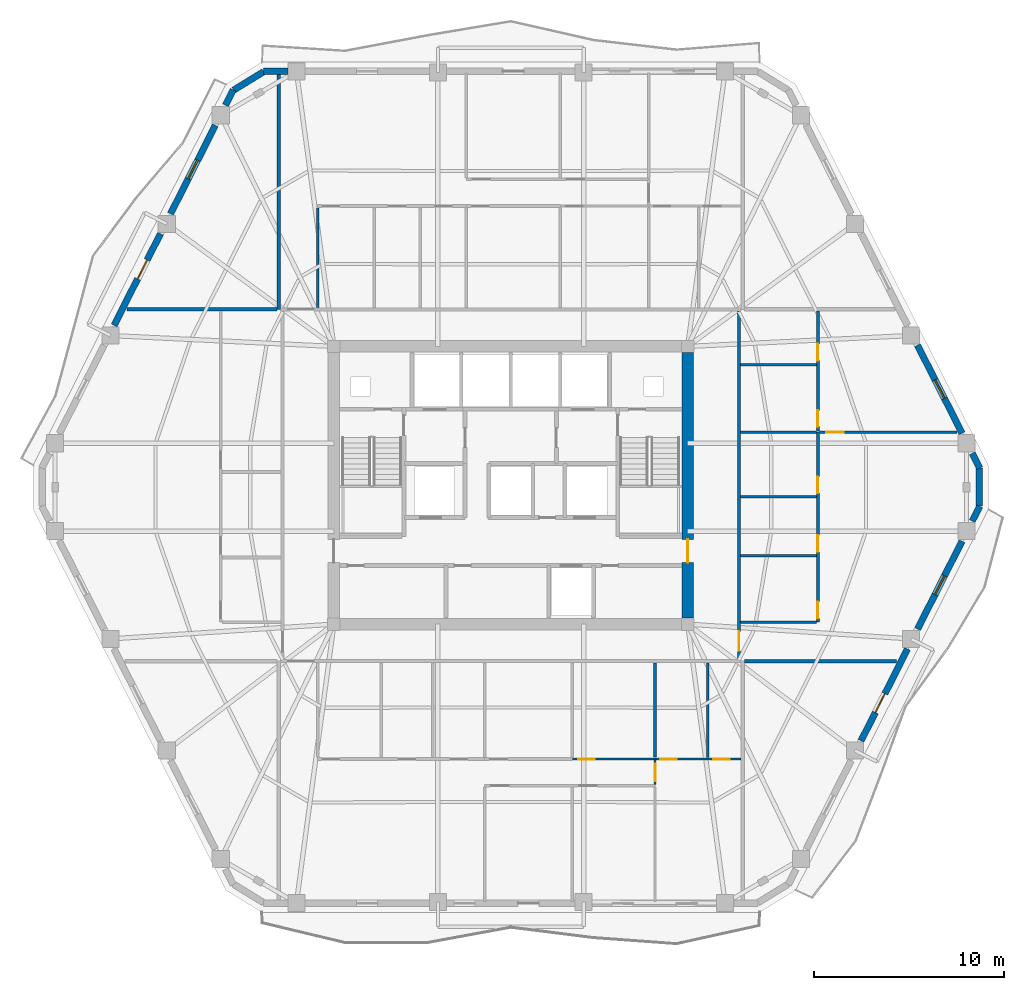
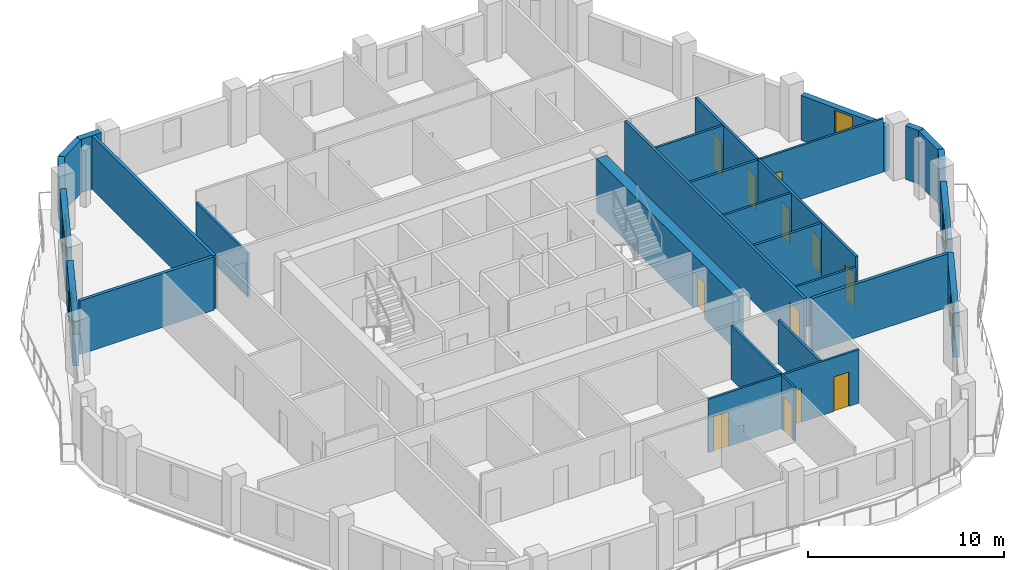
# One storey, part 6 of 10: 29 walls, 14 doors, 3 windows, 17 openings.
"""IFC4 building model written with IfcOpenShell, lengths in metres."""

from ifc_helpers import new_model, si_unit, direction, frame, frame_2d, origin, place, context, subcontext, project, spatial, rectangle, extrude, material, layer, layer_set, type_object, element, fill, save


model = new_model("IFC4")

# Units and contexts
model_context = context("Model", 3, precision=1e-05, world=origin(), true_north=direction((0.0, 1.0)))
body_context = subcontext(model_context, "Body", "Model", "MODEL_VIEW")
ifc_project = project(units=[si_unit("LENGTHUNIT", "METRE"), si_unit("AREAUNIT", "SQUARE_METRE"), si_unit("VOLUMEUNIT", "CUBIC_METRE"), si_unit("PLANEANGLEUNIT", "RADIAN"), si_unit("MASSUNIT", "GRAM", prefix="KILO")], contexts=[model_context])

# Site, building, storey
site_placement = place(None, origin())
site = spatial("IfcSite", under=ifc_project, at=site_placement, CompositionType="ELEMENT")
building_placement = place(site_placement, origin())
building = spatial("IfcBuilding", under=site, at=building_placement, Name="Cinnabar Lancet Tower", CompositionType="ELEMENT")
storey_placement = place(building_placement, frame((0.0, 0.0, 160.60009765625)))
storey = spatial("IfcBuildingStorey", under=building, at=storey_placement, Name="L42", CompositionType="ELEMENT", Elevation=160.60009765625)

# Wall, opening, door
ifc_material_1 = material(Name="Acoustic twin-stud gypsum partition", Category="gypsum")
ifc_layer_1 = layer(ifc_material_1, 0.159912109375)
ifc_layer_set_1 = layer_set([ifc_layer_1], Name="Acoustic twin-stud gypsum partition")
wall_type_1 = type_object("IfcWallType", Name="ARC-WL-CORR-160", PredefinedType="PARTITIONING", material=ifc_layer_set_1)
wall_1_placement = place(storey_placement, frame((44.39990234375, 16.7451171875, 0.0), z_axis=(0.0, 0.0, 1.0), x_axis=(0.0, 1.0, 0.0)))
wall_1 = element("IfcWall", 1, at=wall_1_placement, inside=storey, type_object=wall_type_1, Name="UW-L42-E01-COR", PredefinedType="PARTITIONING", context=body_context, shape_type="SweptSolid", body=[
    extrude(rectangle(XDim=18.309814453125, YDim=0.159912109375, at=frame_2d((9.15478515625, 0.0))), origin(), (0.0, 0.0, 1.0), 3.33984375),
])
opening_1_placement = place(wall_1_placement, frame((0.449951171875, 0.0, 0.0)))
opening_1 = element("IfcOpeningElement", 2, at=opening_1_placement, cuts=wall_1, Name="Opening UD-01", PredefinedType="OPENING", context=body_context, shape_type="SweptSolid", body=[
    extrude(rectangle(XDim=1.02001953125, YDim=2.25, at=frame_2d((0.510009765625, 1.125))), frame((0.0, 0.08984375, 0.0), z_axis=(0.0, -1.0, 0.0), x_axis=(1.0, 0.0, 0.0)), (0.0, 0.0, 1.0), 0.179931640625),
])
ifc_material_2 = material(Name="Solid timber fire-rated apartment entrance door", Category="wood")
door_type_1 = type_object("IfcDoorType", Name="ARC-DR-UNIT", OperationType="NOTDEFINED", PredefinedType="DOOR", material=ifc_material_2)
door_1_placement = place(opening_1_placement, origin())
door_1 = element("IfcDoor", 3, at=door_1_placement, inside=storey, type_object=door_type_1, Name="DR-L42-E01-ENT", OperationType="SINGLE_SWING_LEFT", OverallHeight=2.25, OverallWidth=1.02001953125, PredefinedType="DOOR", context=body_context, shape_type="SweptSolid", body=[
    extrude(rectangle(XDim=1.02001953125, YDim=2.25, at=frame_2d((0.510009765625, 1.125))), frame((0.0, 0.02490234375, 0.0), z_axis=(0.0, -1.0, 0.0), x_axis=(1.0, 0.0, 0.0)), (0.0, 0.0, 1.0), 0.050048828125),
])
fill(opening_1, door_1)

# Walls
ifc_material_3 = material(Name="Fire-rated twin-frame acoustic drywall", Category="gypsum")
ifc_layer_2 = layer(ifc_material_3, 0.179931640625)
ifc_layer_set_2 = layer_set([ifc_layer_2], Name="Fire-rated twin-frame acoustic drywall")
wall_type_2 = type_object("IfcWallType", Name="ARC-WL-PARTY-180", PredefinedType="PARTITIONING", material=ifc_layer_set_2)
wall_2_placement = place(storey_placement, frame((20.199951171875, 35.14990234375, 0.0), z_axis=(0.0, 0.0, 1.0), x_axis=(0.0, 1.0, 0.0)))
element("IfcWall", 4, at=wall_2_placement, inside=storey, type_object=wall_type_2, Name="PW-L42-NPTY-202", PredefinedType="PARTITIONING", context=body_context, shape_type="SweptSolid", body=[
    extrude(rectangle(XDim=12.34521484375, YDim=0.179931640625, at=frame_2d((6.172607421875, 0.0))), origin(), (0.0, 0.0, 1.0), 3.33984375),
])
wall_3_placement = place(storey_placement, frame((44.695068359375, 16.64990234375, 0.0), z_axis=(0.0, 0.0, 1.0), x_axis=(1.0, 0.0, 0.0)))
element("IfcWall", 5, at=wall_3_placement, inside=storey, type_object=wall_type_2, Name="PW-L42-ESB", PredefinedType="PARTITIONING", context=body_context, shape_type="SweptSolid", body=[
    extrude(rectangle(XDim=7.995849609375, YDim=0.179931640625, at=frame_2d((3.998046875, 0.0))), origin(), (0.0, 0.0, 1.0), 3.33984375),
])
wall_4_placement = place(storey_placement, frame((12.2099609375, 35.14990234375, 0.0), z_axis=(0.0, 0.0, 1.0), x_axis=(1.0, 0.0, 0.0)))
element("IfcWall", 6, at=wall_4_placement, inside=storey, type_object=wall_type_2, Name="PW-L42-WNB", PredefinedType="PARTITIONING", context=body_context, shape_type="SweptSolid", body=[
    extrude(rectangle(XDim=7.89501953125, YDim=0.179931640625, at=frame_2d((3.947509765625, 0.0))), origin(), (0.0, 0.0, 1.0), 3.33984375),
])

# Wall, openings, doors
ifc_material_4 = material(Name="Gypsum plasterboard stud partition", Category="gypsum")
ifc_layer_3 = layer(ifc_material_4, 0.125)
ifc_layer_set_3 = layer_set([ifc_layer_3], Name="Gypsum plasterboard stud partition")
wall_type_3 = type_object("IfcWallType", Name="ARC-WL-UNIT-125", PredefinedType="PARTITIONING", material=ifc_layer_set_3)
wall_5_placement = place(storey_placement, frame((35.638916015625, 11.507080078125, 0.0), z_axis=(0.0, 0.0, 1.0), x_axis=(1.0, 0.0, 0.0)))
wall_5 = element("IfcWall", 7, at=wall_5_placement, inside=storey, type_object=wall_type_3, Name="UW-L42-S01-SP2", PredefinedType="PARTITIONING", context=body_context, shape_type="SweptSolid", body=[
    extrude(rectangle(XDim=8.865966796875, YDim=0.125, at=frame_2d((4.43310546875, 0.0))), origin(), (0.0, 0.0, 1.0), 3.33984375),
])
opening_2_placement = place(wall_5_placement, frame((4.625, 0.0, 0.0)))
opening_2 = element("IfcOpeningElement", 8, at=opening_2_placement, cuts=wall_5, Name="Opening BD-01", PredefinedType="OPENING", context=body_context, shape_type="SweptSolid", body=[
    extrude(rectangle(XDim=0.860107421875, YDim=2.10009765625, at=frame_2d((0.43017578125, 1.050048828125))), frame((0.0, 0.072509765625, 0.0), z_axis=(0.0, -1.0, 0.0), x_axis=(1.0, 0.0, 0.0)), (0.0, 0.0, 1.0), 0.14501953125),
])
opening_3_placement = place(wall_5_placement, frame((7.39404296875, 0.0, 0.0)))
opening_3 = element("IfcOpeningElement", 9, at=opening_3_placement, cuts=wall_5, Name="Opening RD-02", PredefinedType="OPENING", context=body_context, shape_type="SweptSolid", body=[
    extrude(rectangle(XDim=0.8798828125, YDim=2.14990234375, at=frame_2d((0.43994140625, 1.074951171875))), frame((0.0, 0.072509765625, 0.0), z_axis=(0.0, -1.0, 0.0), x_axis=(1.0, 0.0, 0.0)), (0.0, 0.0, 1.0), 0.14501953125),
])
opening_4_placement = place(wall_5_placement, frame((0.300048828125, 0.0, 0.0)))
opening_4 = element("IfcOpeningElement", 10, at=opening_4_placement, cuts=wall_5, Name="Opening RD-02", PredefinedType="OPENING", context=body_context, shape_type="SweptSolid", body=[
    extrude(rectangle(XDim=0.8798828125, YDim=2.14990234375, at=frame_2d((0.43994140625, 1.074951171875))), frame((0.0, 0.072509765625, 0.0), z_axis=(0.0, -1.0, 0.0), x_axis=(1.0, 0.0, 0.0)), (0.0, 0.0, 1.0), 0.14501953125),
])
ifc_material_5 = material(Name="Moisture-resistant timber bathroom door", Category="wood")
door_type_2 = type_object("IfcDoorType", Name="ARC-DR-BATH", OperationType="NOTDEFINED", PredefinedType="DOOR", material=ifc_material_5)
door_2_placement = place(opening_2_placement, origin())
door_2 = element("IfcDoor", 11, at=door_2_placement, inside=storey, type_object=door_type_2, Name="DR-L42-S01-ENS", OperationType="SINGLE_SWING_LEFT", OverallHeight=2.10009765625, OverallWidth=0.860107421875, PredefinedType="DOOR", context=body_context, shape_type="SweptSolid", body=[
    extrude(rectangle(XDim=0.860107421875, YDim=2.10009765625, at=frame_2d((0.43017578125, 1.050048828125))), frame((0.0, 0.02490234375, 0.0), z_axis=(0.0, -1.0, 0.0), x_axis=(1.0, 0.0, 0.0)), (0.0, 0.0, 1.0), 0.050048828125),
])
fill(opening_2, door_2)
ifc_material_6 = material(Name="Engineered timber study door", Category="wood")
door_type_3 = type_object("IfcDoorType", Name="ARC-DR-STUDY", OperationType="NOTDEFINED", PredefinedType="DOOR", material=ifc_material_6)
door_3_placement = place(opening_3_placement, origin())
door_3 = element("IfcDoor", 12, at=door_3_placement, inside=storey, type_object=door_type_3, Name="DR-L42-S01-ENS-WDR", OperationType="SINGLE_SWING_RIGHT", OverallHeight=2.14990234375, OverallWidth=0.8798828125, PredefinedType="DOOR", context=body_context, shape_type="SweptSolid", body=[
    extrude(rectangle(XDim=0.8798828125, YDim=2.14990234375, at=frame_2d((0.43994140625, 1.074951171875))), frame((0.0, 0.02490234375, 0.0), z_axis=(0.0, -1.0, 0.0), x_axis=(1.0, 0.0, 0.0)), (0.0, 0.0, 1.0), 0.050048828125),
])
fill(opening_3, door_3)
door_4_placement = place(opening_4_placement, origin())
door_4 = element("IfcDoor", 13, at=door_4_placement, inside=storey, type_object=door_type_3, Name="DR-L42-S01-DRS", OperationType="SINGLE_SWING_RIGHT", OverallHeight=2.14990234375, OverallWidth=0.8798828125, PredefinedType="DOOR", context=body_context, shape_type="SweptSolid", body=[
    extrude(rectangle(XDim=0.8798828125, YDim=2.14990234375, at=frame_2d((0.43994140625, 1.074951171875))), frame((0.0, 0.02490234375, 0.0), z_axis=(0.0, -1.0, 0.0), x_axis=(1.0, 0.0, 0.0)), (0.0, 0.0, 1.0), 0.050048828125),
])
fill(opening_4, door_4)

# Wall, opening, door
wall_6_placement = place(storey_placement, frame((39.98388671875, 10.177001953125, 0.0), z_axis=(0.0, 0.0, 1.0), x_axis=(0.0, 1.0, 0.0)))
wall_6 = element("IfcWall", 14, at=wall_6_placement, inside=storey, type_object=wall_type_3, Name="UW-L42-S01-MBE", PredefinedType="PARTITIONING", context=body_context, shape_type="SweptSolid", body=[
    extrude(rectangle(XDim=1.330078125, YDim=0.125, at=frame_2d((0.6650390625, 0.0))), origin(), (0.0, 0.0, 1.0), 3.33984375),
])
opening_5_placement = place(wall_6_placement, frame((0.159912109375, 0.0, 0.0)))
opening_5 = element("IfcOpeningElement", 15, at=opening_5_placement, cuts=wall_6, Name="Opening RD-01", PredefinedType="OPENING", context=body_context, shape_type="SweptSolid", body=[
    extrude(rectangle(XDim=0.919921875, YDim=2.14990234375, at=frame_2d((0.4599609375, 1.074951171875))), frame((0.0, 0.072509765625, 0.0), z_axis=(0.0, -1.0, 0.0), x_axis=(1.0, 0.0, 0.0)), (0.0, 0.0, 1.0), 0.14501953125),
])
ifc_material_7 = material(Name="Engineered timber bedroom door", Category="wood")
door_type_4 = type_object("IfcDoorType", Name="ARC-DR-ROOM", OperationType="NOTDEFINED", PredefinedType="DOOR", material=ifc_material_7)
door_5_placement = place(opening_5_placement, origin())
door_5 = element("IfcDoor", 16, at=door_5_placement, inside=storey, type_object=door_type_4, Name="DR-L42-S01-MBD", OperationType="SINGLE_SWING_LEFT", OverallHeight=2.14990234375, OverallWidth=0.919921875, PredefinedType="DOOR", context=body_context, shape_type="SweptSolid", body=[
    extrude(rectangle(XDim=0.919921875, YDim=2.14990234375, at=frame_2d((0.4599609375, 1.074951171875))), frame((0.0, 0.02490234375, 0.0), z_axis=(0.0, -1.0, 0.0), x_axis=(1.0, 0.0, 0.0)), (0.0, 0.0, 1.0), 0.050048828125),
])
fill(opening_5, door_5)

# Walls
wall_7_placement = place(storey_placement, frame((22.25, 35.235107421875, 0.0), z_axis=(0.0, 0.0, 1.0), x_axis=(0.0, 1.0, 0.0)))
element("IfcWall", 17, at=wall_7_placement, inside=storey, type_object=wall_type_3, Name="UW-L42-N01-FOYE", PredefinedType="PARTITIONING", context=body_context, shape_type="SweptSolid", body=[
    extrude(rectangle(XDim=5.241943359375, YDim=0.125, at=frame_2d((2.62109375, 0.0))), origin(), (0.0, 0.0, 1.0), 2.721923828125),
])
wall_8_placement = place(storey_placement, frame((44.485107421875, 18.699951171875, 0.0), z_axis=(0.0, 0.0, 1.0), x_axis=(1.0, 0.0, 0.0)))
element("IfcWall", 18, at=wall_8_placement, inside=storey, type_object=wall_type_3, Name="UW-L42-E01-FOYN", PredefinedType="PARTITIONING", context=body_context, shape_type="SweptSolid", body=[
    extrude(rectangle(XDim=3.97998046875, YDim=0.125, at=frame_2d((1.989990234375, 0.0))), origin(), (0.0, 0.0, 1.0), 2.721923828125),
])

# Wall, opening, door
wall_9_placement = place(storey_placement, frame((48.625, 28.68994140625, 0.0), z_axis=(0.0, 0.0, 1.0), x_axis=(1.0, 0.0, 0.0)))
wall_9 = element("IfcWall", 19, at=wall_9_placement, inside=storey, type_object=wall_type_3, Name="UW-L42-E01-MBN", PredefinedType="PARTITIONING", context=body_context, shape_type="SweptSolid", body=[
    extrude(rectangle(XDim=7.2490234375, YDim=0.125, at=frame_2d((3.62451171875, 0.0))), origin(), (0.0, 0.0, 1.0), 3.33984375),
])
opening_6_placement = place(wall_9_placement, frame((0.35009765625, 0.0, 0.0)))
opening_6 = element("IfcOpeningElement", 20, at=opening_6_placement, cuts=wall_9, Name="Opening RD-01", PredefinedType="OPENING", context=body_context, shape_type="SweptSolid", body=[
    extrude(rectangle(XDim=0.919921875, YDim=2.14990234375, at=frame_2d((0.4599609375, 1.074951171875))), frame((0.0, 0.072509765625, 0.0), z_axis=(0.0, -1.0, 0.0), x_axis=(1.0, 0.0, 0.0)), (0.0, 0.0, 1.0), 0.14501953125),
])
door_6_placement = place(opening_6_placement, origin())
door_6 = element("IfcDoor", 21, at=door_6_placement, inside=storey, type_object=door_type_4, Name="DR-L42-E01-MBD", OperationType="SINGLE_SWING_LEFT", OverallHeight=2.14990234375, OverallWidth=0.919921875, PredefinedType="DOOR", context=body_context, shape_type="SweptSolid", body=[
    extrude(rectangle(XDim=0.919921875, YDim=2.14990234375, at=frame_2d((0.4599609375, 1.074951171875))), frame((0.0, 0.02490234375, 0.0), z_axis=(0.0, -1.0, 0.0), x_axis=(1.0, 0.0, 0.0)), (0.0, 0.0, 1.0), 0.050048828125),
])
fill(opening_6, door_6)

# Walls
wall_10_placement = place(storey_placement, frame((44.485107421875, 25.2900390625, 0.0), z_axis=(0.0, 0.0, 1.0), x_axis=(1.0, 0.0, 0.0)))
element("IfcWall", 22, at=wall_10_placement, inside=storey, type_object=wall_type_3, Name="UW-L42-E01-UDV", PredefinedType="PARTITIONING", context=body_context, shape_type="SweptSolid", body=[
    extrude(rectangle(XDim=3.97998046875, YDim=0.125, at=frame_2d((1.989990234375, 0.0))), origin(), (0.0, 0.0, 1.0), 3.33984375),
])
ifc_material_8 = material(Name="Moisture-resistant cement-board plumbing wall", Category="masonry")
ifc_layer_4 = layer(ifc_material_8, 0.139892578125)
ifc_layer_set_4 = layer_set([ifc_layer_4], Name="Moisture-resistant cement-board plumbing wall")
wall_type_4 = type_object("IfcWallType", Name="ARC-WL-WET-140", PredefinedType="PLUMBINGWALL", material=ifc_layer_set_4)
wall_11_placement = place(storey_placement, frame((39.98388671875, 11.612060546875, 0.0), z_axis=(0.0, 0.0, 1.0), x_axis=(0.0, 1.0, 0.0)))
element("IfcWall", 23, at=wall_11_placement, inside=storey, type_object=wall_type_4, Name="UW-L42-S01-UT3", PredefinedType="PLUMBINGWALL", context=body_context, shape_type="SweptSolid", body=[
    extrude(rectangle(XDim=4.952880859375, YDim=0.139892578125, at=frame_2d((2.4765625, 0.0))), origin(), (0.0, 0.0, 1.0), 3.33984375),
])
wall_12_placement = place(storey_placement, frame((42.7529296875, 11.592041015625, 0.0), z_axis=(0.0, 0.0, 1.0), x_axis=(0.0, 1.0, 0.0)))
element("IfcWall", 24, at=wall_12_placement, inside=storey, type_object=wall_type_4, Name="UW-L42-S01-ENS-WDV", PredefinedType="PLUMBINGWALL", context=body_context, shape_type="SweptSolid", body=[
    extrude(rectangle(XDim=4.972900390625, YDim=0.139892578125, at=frame_2d((2.486328125, 0.0))), origin(), (0.0, 0.0, 1.0), 2.721923828125),
])

# Wall, openings, doors
wall_13_placement = place(storey_placement, frame((48.550048828125, 18.699951171875, 0.0), z_axis=(0.0, 0.0, 1.0), x_axis=(0.0, 1.0, 0.0)))
wall_13 = element("IfcWall", 25, at=wall_13_placement, inside=storey, type_object=wall_type_4, Name="UW-L42-E01-SPL", PredefinedType="PLUMBINGWALL", context=body_context, shape_type="SweptSolid", body=[
    extrude(rectangle(XDim=9.989990234375, YDim=0.139892578125, at=frame_2d((4.9951171875, 0.0))), origin(), (0.0, 0.0, 1.0), 3.33984375),
])
opening_7_placement = place(wall_13_placement, frame((0.199951171875, 0.0, 0.0)))
opening_7 = element("IfcOpeningElement", 26, at=opening_7_placement, cuts=wall_13, Name="Opening RD-02", PredefinedType="OPENING", context=body_context, shape_type="SweptSolid", body=[
    extrude(rectangle(XDim=0.8798828125, YDim=2.14990234375, at=frame_2d((0.43994140625, 1.074951171875))), frame((0.0, 0.079833984375, 0.0), z_axis=(0.0, -1.0, 0.0), x_axis=(1.0, 0.0, 0.0)), (0.0, 0.0, 1.0), 0.159912109375),
])
opening_8_placement = place(wall_13_placement, frame((3.699951171875, 0.0, 0.0)))
opening_8 = element("IfcOpeningElement", 27, at=opening_8_placement, cuts=wall_13, Name="Opening RD-02", PredefinedType="OPENING", context=body_context, shape_type="SweptSolid", body=[
    extrude(rectangle(XDim=0.8798828125, YDim=2.14990234375, at=frame_2d((0.43994140625, 1.074951171875))), frame((0.0, 0.079833984375, 0.0), z_axis=(0.0, -1.0, 0.0), x_axis=(1.0, 0.0, 0.0)), (0.0, 0.0, 1.0), 0.159912109375),
])
opening_9_placement = place(wall_13_placement, frame((6.7900390625, 0.0, 0.0)))
opening_9 = element("IfcOpeningElement", 28, at=opening_9_placement, cuts=wall_13, Name="Opening BD-01", PredefinedType="OPENING", context=body_context, shape_type="SweptSolid", body=[
    extrude(rectangle(XDim=0.860107421875, YDim=2.10009765625, at=frame_2d((0.43017578125, 1.050048828125))), frame((0.0, 0.079833984375, 0.0), z_axis=(0.0, -1.0, 0.0), x_axis=(1.0, 0.0, 0.0)), (0.0, 0.0, 1.0), 0.159912109375),
])
door_7_placement = place(opening_9_placement, origin())
door_7 = element("IfcDoor", 29, at=door_7_placement, inside=storey, type_object=door_type_2, Name="DR-L42-E01-BTH", OperationType="SINGLE_SWING_RIGHT", OverallHeight=2.10009765625, OverallWidth=0.860107421875, PredefinedType="DOOR", context=body_context, shape_type="SweptSolid", body=[
    extrude(rectangle(XDim=0.860107421875, YDim=2.10009765625, at=frame_2d((0.43017578125, 1.050048828125))), frame((0.0, 0.02490234375, 0.0), z_axis=(0.0, -1.0, 0.0), x_axis=(1.0, 0.0, 0.0)), (0.0, 0.0, 1.0), 0.050048828125),
])
fill(opening_9, door_7)
door_8_placement = place(opening_7_placement, origin())
door_8 = element("IfcDoor", 30, at=door_8_placement, inside=storey, type_object=door_type_3, Name="DR-L42-E01-KIT", OperationType="SINGLE_SWING_RIGHT", OverallHeight=2.14990234375, OverallWidth=0.8798828125, PredefinedType="DOOR", context=body_context, shape_type="SweptSolid", body=[
    extrude(rectangle(XDim=0.8798828125, YDim=2.14990234375, at=frame_2d((0.43994140625, 1.074951171875))), frame((0.0, 0.02490234375, 0.0), z_axis=(0.0, -1.0, 0.0), x_axis=(1.0, 0.0, 0.0)), (0.0, 0.0, 1.0), 0.050048828125),
])
fill(opening_7, door_8)
door_9_placement = place(opening_8_placement, origin())
door_9 = element("IfcDoor", 31, at=door_9_placement, inside=storey, type_object=door_type_3, Name="DR-L42-E01-UTL", OperationType="SINGLE_SWING_LEFT", OverallHeight=2.14990234375, OverallWidth=0.8798828125, PredefinedType="DOOR", context=body_context, shape_type="SweptSolid", body=[
    extrude(rectangle(XDim=0.8798828125, YDim=2.14990234375, at=frame_2d((0.43994140625, 1.074951171875))), frame((0.0, 0.02490234375, 0.0), z_axis=(0.0, -1.0, 0.0), x_axis=(1.0, 0.0, 0.0)), (0.0, 0.0, 1.0), 0.050048828125),
])
fill(opening_8, door_9)

wall_14_placement = place(storey_placement, frame((48.550048828125, 28.760009765625, 0.0), z_axis=(0.0, 0.0, 1.0), x_axis=(0.0, 1.0, 0.0)))
wall_14 = element("IfcWall", 32, at=wall_14_placement, inside=storey, type_object=wall_type_4, Name="UW-L42-E01-SPM", PredefinedType="PLUMBINGWALL", context=body_context, shape_type="SweptSolid", body=[
    extrude(rectangle(XDim=6.294921875, YDim=0.139892578125, at=frame_2d((3.1474609375, 0.0))), origin(), (0.0, 0.0, 1.0), 3.33984375),
])
opening_10_placement = place(wall_14_placement, frame((0.219970703125, 0.0, 0.0)))
opening_10 = element("IfcOpeningElement", 33, at=opening_10_placement, cuts=wall_14, Name="Opening BD-01", PredefinedType="OPENING", context=body_context, shape_type="SweptSolid", body=[
    extrude(rectangle(XDim=0.860107421875, YDim=2.10009765625, at=frame_2d((0.43017578125, 1.050048828125))), frame((0.0, 0.079833984375, 0.0), z_axis=(0.0, -1.0, 0.0), x_axis=(1.0, 0.0, 0.0)), (0.0, 0.0, 1.0), 0.159912109375),
])
opening_11_placement = place(wall_14_placement, frame((3.696044921875, 0.0, 0.0)))
opening_11 = element("IfcOpeningElement", 34, at=opening_11_placement, cuts=wall_14, Name="Opening RD-02", PredefinedType="OPENING", context=body_context, shape_type="SweptSolid", body=[
    extrude(rectangle(XDim=0.8798828125, YDim=2.14990234375, at=frame_2d((0.43994140625, 1.074951171875))), frame((0.0, 0.079833984375, 0.0), z_axis=(0.0, -1.0, 0.0), x_axis=(1.0, 0.0, 0.0)), (0.0, 0.0, 1.0), 0.159912109375),
])
door_10_placement = place(opening_10_placement, origin())
door_10 = element("IfcDoor", 35, at=door_10_placement, inside=storey, type_object=door_type_2, Name="DR-L42-E01-ENS", OperationType="SINGLE_SWING_LEFT", OverallHeight=2.10009765625, OverallWidth=0.860107421875, PredefinedType="DOOR", context=body_context, shape_type="SweptSolid", body=[
    extrude(rectangle(XDim=0.860107421875, YDim=2.10009765625, at=frame_2d((0.43017578125, 1.050048828125))), frame((0.0, 0.02490234375, 0.0), z_axis=(0.0, -1.0, 0.0), x_axis=(1.0, 0.0, 0.0)), (0.0, 0.0, 1.0), 0.050048828125),
])
fill(opening_10, door_10)
door_11_placement = place(opening_11_placement, origin())
door_11 = element("IfcDoor", 36, at=door_11_placement, inside=storey, type_object=door_type_3, Name="DR-L42-E01-EWDR", OperationType="SINGLE_SWING_RIGHT", OverallHeight=2.14990234375, OverallWidth=0.8798828125, PredefinedType="DOOR", context=body_context, shape_type="SweptSolid", body=[
    extrude(rectangle(XDim=0.8798828125, YDim=2.14990234375, at=frame_2d((0.43994140625, 1.074951171875))), frame((0.0, 0.02490234375, 0.0), z_axis=(0.0, -1.0, 0.0), x_axis=(1.0, 0.0, 0.0)), (0.0, 0.0, 1.0), 0.050048828125),
])
fill(opening_11, door_11)

# Walls
for number, where, z_axis, x_axis, name in (
    (37, (44.485107421875, 28.68994140625, 0.0), (0.0, 0.0, 1.0), (1.0, 0.0, 0.0), "UW-L42-E01-ENSN"),
    (38, (44.485107421875, 22.199951171875, 0.0), (0.0, 0.0, 1.0), (1.0, 0.0, 0.0), "UW-L42-E01-KDV"),
    (39, (44.485107421875, 32.236083984375, 0.0), (0.0, 0.0, 1.0), (1.0, 0.0, 0.0), "UW-L42-E01-EWDV"),
):
    element("IfcWall", number, at=place(storey_placement, frame(where, z_axis=z_axis, x_axis=x_axis)), inside=storey, type_object=wall_type_4, Name=name, PredefinedType="PLUMBINGWALL", context=body_context, shape_type="SweptSolid", body=[
        extrude(rectangle(XDim=3.97998046875, YDim=0.139892578125, at=frame_2d((1.989990234375, 0.0))), origin(), (0.0, 0.0, 1.0), 3.33984375),
    ])
ifc_material_9 = material(Name="Cinnabar red clay brick", Category="masonry")
ifc_layer_5 = layer(ifc_material_9, 0.340087890625)
ifc_layer_set_5 = layer_set([ifc_layer_5], Name="Cinnabar red clay brick")
wall_type_5 = type_object("IfcWallType", Name="ENV-WL-BRK-RED-340", PredefinedType="STANDARD", material=ifc_layer_set_5)
wall_15_placement = place(storey_placement, frame((57.032958984375, 24.802978515625, 0.0), z_axis=(0.0, 0.0, 1.0), x_axis=(0.0, 1.0, 0.0)))
element("IfcWall", 40, at=wall_15_placement, inside=storey, type_object=wall_type_5, Name="L42 Chamfered Corner Brick Pier 3.1", PredefinedType="STANDARD", context=body_context, shape_type="SweptSolid", body=[
    extrude(rectangle(XDim=1.994140625, YDim=0.340087890625, at=frame_2d((0.9970703125, 0.0))), origin(), (0.0, 0.0, 1.0), 3.33984375),
])
wall_16_placement = place(storey_placement, frame((19.403076171875, 47.64501953125, 0.0), z_axis=(0.0, 0.0, 1.0), x_axis=(-0.851798915137, -0.523868884523, 0.0)))
element("IfcWall", 41, at=wall_16_placement, inside=storey, type_object=wall_type_5, Name="L42 Chamfered Corner Brick Pier 5.1", PredefinedType="STANDARD", context=body_context, shape_type="SweptSolid", body=[
    extrude(rectangle(XDim=1.847900390625, YDim=0.340087890625, at=frame_2d((0.923828125, 0.0))), origin(), (0.0, 0.0, 1.0), 3.33984375),
])

# Wall, opening, door
wall_17_placement = place(storey_placement, frame((50.818115234375, 12.470947265625, 0.0), z_axis=(0.0, 0.0, 1.0), x_axis=(0.451491174807, 0.892275584711, 0.0)))
wall_17 = element("IfcWall", 42, at=wall_17_placement, inside=storey, type_object=wall_type_5, Name="L42 Face 2 Masonry Bay Wall 3", PredefinedType="STANDARD", context=body_context, shape_type="SweptSolid", body=[
    extrude(rectangle(XDim=5.404296875, YDim=0.340087890625, at=frame_2d((2.7021484375, 0.0))), origin(), (0.0, 0.0, 1.0), 2.796875),
])
opening_12_placement = place(wall_17_placement, frame((1.6669921875, 0.0, 0.0)))
opening_12 = element("IfcOpeningElement", 43, at=opening_12_placement, cuts=wall_17, Name="Opening TD-01", PredefinedType="OPENING", context=body_context, shape_type="SweptSolid", body=[
    extrude(rectangle(XDim=1.10009765625, YDim=2.25, at=frame_2d((0.550048828125, 1.125))), frame((0.0, 0.179931640625, 0.0), z_axis=(0.0, -1.0, 0.0), x_axis=(1.0, 0.0, 0.0)), (0.0, 0.0, 1.0), 0.360107421875),
])
ifc_material_10 = material(Name="Thermally broken low-E glazed balcony terrace door", Category="wood")
door_type_5 = type_object("IfcDoorType", Name="ARC-DR-BALC", OperationType="NOTDEFINED", PredefinedType="DOOR", material=ifc_material_10)
door_12_placement = place(opening_12_placement, origin())
door_12 = element("IfcDoor", 44, at=door_12_placement, inside=storey, type_object=door_type_5, Name="L42 Face 2 Glazed Terrace Door", OperationType="SINGLE_SWING_LEFT", OverallHeight=2.25, OverallWidth=1.10009765625, PredefinedType="DOOR", context=body_context, shape_type="SweptSolid", body=[
    extrude(rectangle(XDim=1.10009765625, YDim=2.25, at=frame_2d((0.550048828125, 1.125))), frame((0.0, 0.02490234375, 0.0), z_axis=(0.0, -1.0, 0.0), x_axis=(1.0, 0.0, 0.0)), (0.0, 0.0, 1.0), 0.050048828125),
])
fill(opening_12, door_12)

# Wall, opening, window
wall_18_placement = place(storey_placement, frame((53.785888671875, 18.337890625, 0.0), z_axis=(0.0, 0.0, 1.0), x_axis=(0.451544220963, 0.892248741392, 0.0)))
wall_18 = element("IfcWall", 45, at=wall_18_placement, inside=storey, type_object=wall_type_5, Name="L42 Face 2 Masonry Bay Wall 4", PredefinedType="STANDARD", context=body_context, shape_type="SweptSolid", body=[
    extrude(rectangle(XDim=5.18017578125, YDim=0.340087890625, at=frame_2d((2.590087890625, 0.0))), origin(), (0.0, 0.0, 1.0), 2.796875),
])
opening_13_placement = place(wall_18_placement, frame((2.0400390625, 0.0, 0.75)))
opening_13 = element("IfcOpeningElement", 46, at=opening_13_placement, cuts=wall_18, Name="Opening WN-04", PredefinedType="OPENING", context=body_context, shape_type="SweptSolid", body=[
    extrude(rectangle(XDim=1.10009765625, YDim=1.89697265625, at=frame_2d((0.550048828125, 0.948486328125))), frame((0.0, 0.179931640625, 0.0), z_axis=(0.0, -1.0, 0.0), x_axis=(1.0, 0.0, 0.0)), (0.0, 0.0, 1.0), 0.360107421875),
])
ifc_material_11 = material(Name="Thermally broken bronze-anodized aluminium tall lancet window", Category="aluminium")
window_type = type_object("IfcWindowType", Name="ENV-WN-LANCET-1100", PartitioningType="SINGLE_PANEL", PredefinedType="WINDOW", material=ifc_material_11)
window_1_placement = place(opening_13_placement, origin())
window_1 = element("IfcWindow", 47, at=window_1_placement, inside=storey, type_object=window_type, Name="L42 Face 2 Gothic Lancet Window 4", OverallHeight=1.89697265625, OverallWidth=1.10009765625, PartitioningType="SINGLE_PANEL", PredefinedType="WINDOW", context=body_context, shape_type="SweptSolid", body=[
    extrude(rectangle(XDim=1.10009765625, YDim=1.89697265625, at=frame_2d((0.550048828125, 0.948486328125))), frame((0.0, 0.030029296875, 0.0), z_axis=(0.0, -1.0, 0.0), x_axis=(1.0, 0.0, 0.0)), (0.0, 0.0, 1.0), 0.06005859375),
])
fill(opening_13, window_1)

# Walls
for number, where, z_axis, x_axis, name in (
    (48, (56.660888671875, 24.02001953125, 0.0), (0.0, 0.0, 1.0), (0.451923099039, 0.892056899842, 0.0), "L42 Face 2 Masonry Bay Wall 5"),
    (49, (57.053955078125, 26.803955078125, 0.0), (0.0, 0.0, 1.0), (-0.451809962998, 0.892114206442, 0.0), "L42 Face 3 Masonry Bay Wall 1"),
):
    element("IfcWall", number, at=place(storey_placement, frame(where, z_axis=z_axis, x_axis=x_axis)), inside=storey, type_object=wall_type_5, Name=name, PredefinedType="STANDARD", context=body_context, shape_type="SweptSolid", body=[
        extrude(rectangle(XDim=0.869873046875, YDim=0.340087890625, at=frame_2d((0.43505859375, 0.0))), origin(), (0.0, 0.0, 1.0), 3.33984375),
    ])

# Wall, opening, window
wall_19_placement = place(storey_placement, frame((56.125, 28.639892578125, 0.0), z_axis=(0.0, 0.0, 1.0), x_axis=(-0.451544220963, 0.892248741392, 0.0)))
wall_19 = element("IfcWall", 50, at=wall_19_placement, inside=storey, type_object=wall_type_5, Name="L42 Face 3 Masonry Bay Wall 2", PredefinedType="STANDARD", context=body_context, shape_type="SweptSolid", body=[
    extrude(rectangle(XDim=5.18017578125, YDim=0.340087890625, at=frame_2d((2.590087890625, 0.0))), origin(), (0.0, 0.0, 1.0), 2.796875),
])
opening_14_placement = place(wall_19_placement, frame((2.0400390625, 0.0, 0.75)))
opening_14 = element("IfcOpeningElement", 51, at=opening_14_placement, cuts=wall_19, Name="Opening WN-04", PredefinedType="OPENING", context=body_context, shape_type="SweptSolid", body=[
    extrude(rectangle(XDim=1.10009765625, YDim=1.89697265625, at=frame_2d((0.550048828125, 0.948486328125))), frame((0.0, 0.179931640625, 0.0), z_axis=(0.0, -1.0, 0.0), x_axis=(1.0, 0.0, 0.0)), (0.0, 0.0, 1.0), 0.360107421875),
])
window_2_placement = place(opening_14_placement, origin())
window_2 = element("IfcWindow", 52, at=window_2_placement, inside=storey, type_object=window_type, Name="L42 Face 3 Gothic Lancet Window 2", OverallHeight=1.89697265625, OverallWidth=1.10009765625, PartitioningType="SINGLE_PANEL", PredefinedType="WINDOW", context=body_context, shape_type="SweptSolid", body=[
    extrude(rectangle(XDim=1.10009765625, YDim=1.89697265625, at=frame_2d((0.550048828125, 0.948486328125))), frame((0.0, 0.030029296875, 0.0), z_axis=(0.0, -1.0, 0.0), x_axis=(1.0, 0.0, 0.0)), (0.0, 0.0, 1.0), 0.06005859375),
])
fill(opening_14, window_2)

# Walls
wall_20_placement = place(storey_placement, frame((20.677001953125, 47.669921875, 0.0), z_axis=(0.0, 0.0, 1.0), x_axis=(-1.0, 0.0, 0.0)))
element("IfcWall", 53, at=wall_20_placement, inside=storey, type_object=wall_type_5, Name="L42 Face 4 Masonry Bay Wall 5", PredefinedType="STANDARD", context=body_context, shape_type="SweptSolid", body=[
    extrude(rectangle(XDim=1.279052734375, YDim=0.340087890625, at=frame_2d((0.6396484375, 0.0))), origin(), (0.0, 0.0, 1.0), 3.33984375),
])
wall_21_placement = place(storey_placement, frame((17.80908203125, 46.693115234375, 0.0), z_axis=(0.0, 0.0, 1.0), x_axis=(-0.45173600575, -0.892151658133, 0.0)))
element("IfcWall", 54, at=wall_21_placement, inside=storey, type_object=wall_type_5, Name="L42 Face 5 Masonry Bay Wall 1", PredefinedType="STANDARD", context=body_context, shape_type="SweptSolid", body=[
    extrude(rectangle(XDim=0.90576171875, YDim=0.340087890625, at=frame_2d((0.452880859375, 0.0))), origin(), (0.0, 0.0, 1.0), 3.33984375),
])

# Wall, opening, window
wall_22_placement = place(storey_placement, frame((16.863037109375, 44.822998046875, 0.0), z_axis=(0.0, 0.0, 1.0), x_axis=(-0.451595734115, -0.892222670038, 0.0)))
wall_22 = element("IfcWall", 55, at=wall_22_placement, inside=storey, type_object=wall_type_5, Name="L42 Face 5 Masonry Bay Wall 2", PredefinedType="STANDARD", context=body_context, shape_type="SweptSolid", body=[
    extrude(rectangle(XDim=5.208251953125, YDim=0.340087890625, at=frame_2d((2.60400390625, 0.0))), origin(), (0.0, 0.0, 1.0), 2.796875),
])
opening_15_placement = place(wall_22_placement, frame((2.053955078125, 0.0, 0.75)))
opening_15 = element("IfcOpeningElement", 56, at=opening_15_placement, cuts=wall_22, Name="Opening WN-04", PredefinedType="OPENING", context=body_context, shape_type="SweptSolid", body=[
    extrude(rectangle(XDim=1.10009765625, YDim=1.89697265625, at=frame_2d((0.550048828125, 0.948486328125))), frame((0.0, 0.179931640625, 0.0), z_axis=(0.0, -1.0, 0.0), x_axis=(1.0, 0.0, 0.0)), (0.0, 0.0, 1.0), 0.360107421875),
])
window_3_placement = place(opening_15_placement, origin())
window_3 = element("IfcWindow", 57, at=window_3_placement, inside=storey, type_object=window_type, Name="L42 Face 5 Gothic Lancet Window 2", OverallHeight=1.89697265625, OverallWidth=1.10009765625, PartitioningType="SINGLE_PANEL", PredefinedType="WINDOW", context=body_context, shape_type="SweptSolid", body=[
    extrude(rectangle(XDim=1.10009765625, YDim=1.89697265625, at=frame_2d((0.550048828125, 0.948486328125))), frame((0.0, 0.030029296875, 0.0), z_axis=(0.0, -1.0, 0.0), x_axis=(1.0, 0.0, 0.0)), (0.0, 0.0, 1.0), 0.06005859375),
])
fill(opening_15, window_3)

# Wall, opening, door
wall_23_placement = place(storey_placement, frame((13.98193359375, 39.12890625, 0.0), z_axis=(0.0, 0.0, 1.0), x_axis=(-0.451491174807, -0.892275584711, 0.0)))
wall_23 = element("IfcWall", 58, at=wall_23_placement, inside=storey, type_object=wall_type_5, Name="L42 Face 5 Masonry Bay Wall 3", PredefinedType="STANDARD", context=body_context, shape_type="SweptSolid", body=[
    extrude(rectangle(XDim=5.404296875, YDim=0.340087890625, at=frame_2d((2.7021484375, 0.0))), origin(), (0.0, 0.0, 1.0), 2.796875),
])
opening_16_placement = place(wall_23_placement, frame((1.554931640625, 0.0, 0.0)))
opening_16 = element("IfcOpeningElement", 59, at=opening_16_placement, cuts=wall_23, Name="Opening TD-01", PredefinedType="OPENING", context=body_context, shape_type="SweptSolid", body=[
    extrude(rectangle(XDim=1.10009765625, YDim=2.25, at=frame_2d((0.550048828125, 1.125))), frame((0.0, 0.179931640625, 0.0), z_axis=(0.0, -1.0, 0.0), x_axis=(1.0, 0.0, 0.0)), (0.0, 0.0, 1.0), 0.360107421875),
])
door_13_placement = place(opening_16_placement, origin())
door_13 = element("IfcDoor", 60, at=door_13_placement, inside=storey, type_object=door_type_5, Name="L42 Face 5 Glazed Terrace Door", OperationType="SINGLE_SWING_RIGHT", OverallHeight=2.25, OverallWidth=1.10009765625, PredefinedType="DOOR", context=body_context, shape_type="SweptSolid", body=[
    extrude(rectangle(XDim=1.10009765625, YDim=2.25, at=frame_2d((0.550048828125, 1.125))), frame((0.0, 0.02490234375, 0.0), z_axis=(0.0, -1.0, 0.0), x_axis=(1.0, 0.0, 0.0)), (0.0, 0.0, 1.0), 0.050048828125),
])
fill(opening_16, door_13)

ifc_material_12 = material(Name="Concrete C60/75", Category="concrete")
ifc_layer_6 = layer(ifc_material_12, 0.60009765625)
ifc_layer_set_6 = layer_set([ifc_layer_6], Name="Concrete C60/75")
wall_type_6 = type_object("IfcWallType", Name="STR-WL-CORE-600", PredefinedType="SHEAR", material=ifc_layer_set_6)
wall_24_placement = place(storey_placement, frame((41.699951171875, 18.925048828125, 0.0), z_axis=(0.0, 0.0, 1.0), x_axis=(0.0, 1.0, 0.0)))
wall_24 = element("IfcWall", 61, at=wall_24_placement, inside=storey, type_object=wall_type_6, Name="L42 Core Shear Wall E", PredefinedType="SHEAR", context=body_context, shape_type="SweptSolid", body=[
    extrude(rectangle(XDim=13.949951171875, YDim=0.60009765625, at=frame_2d((6.97509765625, 0.0))), origin(), (0.0, 0.0, 1.0), 3.33984375),
])
opening_17_placement = place(wall_24_placement, frame((2.9150390625, 0.0, 0.0)))
opening_17 = element("IfcOpeningElement", 62, at=opening_17_placement, cuts=wall_24, Name="Opening FD-02", PredefinedType="OPENING", context=body_context, shape_type="SweptSolid", body=[
    extrude(rectangle(XDim=1.219970703125, YDim=2.25, at=frame_2d((0.60986328125, 1.125))), frame((0.0, 0.31005859375, 0.0), z_axis=(0.0, -1.0, 0.0), x_axis=(1.0, 0.0, 0.0)), (0.0, 0.0, 1.0), 0.6201171875),
])
ifc_material_13 = material(Name="Fire-rated double-vision core portal door", Category="wood")
door_type_6 = type_object("IfcDoorType", Name="ARC-DR-CPORT", OperationType="NOTDEFINED", PredefinedType="DOOR", material=ifc_material_13)
door_14_placement = place(opening_17_placement, origin())
door_14 = element("IfcDoor", 63, at=door_14_placement, inside=storey, type_object=door_type_6, Name="L42 East Core Lobby Fire Door", OperationType="SINGLE_SWING_LEFT", OverallHeight=2.25, OverallWidth=1.219970703125, PredefinedType="DOOR", context=body_context, shape_type="SweptSolid", body=[
    extrude(rectangle(XDim=1.219970703125, YDim=2.25, at=frame_2d((0.60986328125, 1.125))), frame((0.0, 0.02490234375, 0.0), z_axis=(0.0, -1.0, 0.0), x_axis=(1.0, 0.0, 0.0)), (0.0, 0.0, 1.0), 0.050048828125),
])
fill(opening_17, door_14)

save(model, "model.ifc")
